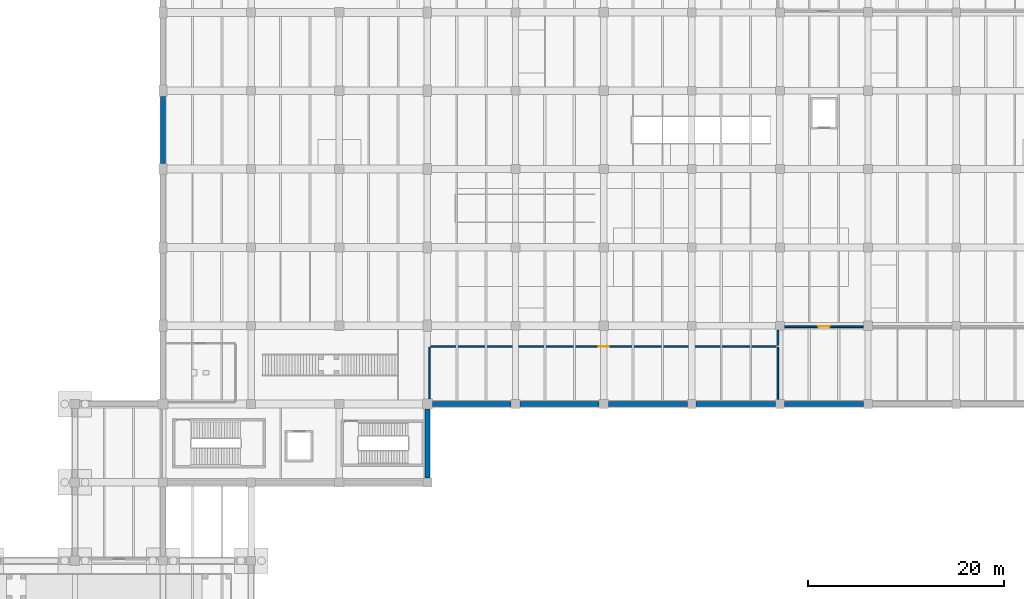
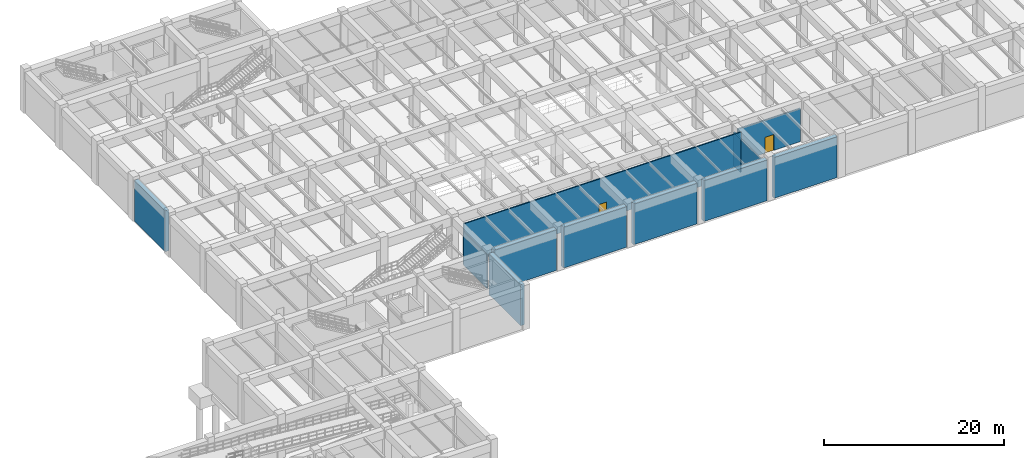
# One storey, part 8 of 20: 12 walls, 2 doors, 2 openings.
"""IFC4 building model written with IfcOpenShell, lengths in metres."""

import ifcopenshell
import ifcopenshell.guid

model = None  # the IFC model being written
_history = None  # IfcOwnerHistory: only IFC2X3 demands one
_inside = {}  # id of a spatial element -> (the spatial element, [elements in it])
_under = {}  # id of a project, library or spatial element -> (it, [spatial elements below it])
_declared = {}  # id of a project -> (the project, [libraries it declares])
_typed = {}  # id of a type object -> (the type object, [elements of that type])
_made_of = {}  # id of a material, layer set ... -> (it, [elements and type objects made of it])


def new_model(schema):
    """Start an empty IFC model of exactly this schema.

    Asked for "IFC4X3", IfcOpenShell would pick the latest addendum, in which some entities
    have other attributes; the version numbers below select the first issue.
    IFC2X3 requires an IfcOwnerHistory on every rooted entity: one is made here for all.
    """
    global model, _history
    if schema == "IFC4X3":
        model = ifcopenshell.file(schema_version=(4, 3, 0, 0))
    else:
        model = ifcopenshell.file(schema=schema)
    _inside.clear()
    _under.clear()
    _declared.clear()
    _typed.clear()
    _made_of.clear()
    _history = None
    if model.schema == "IFC2X3":
        org = make("IfcOrganization", Name="unknown")
        user = make(
            "IfcPersonAndOrganization",
            ThePerson=make("IfcPerson", FamilyName="unknown"),
            TheOrganization=org,
        )
        app = make(
            "IfcApplication",
            ApplicationDeveloper=org,
            Version="unknown",
            ApplicationFullName="unknown",
            ApplicationIdentifier="unknown",
        )
        _history = make(
            "IfcOwnerHistory",
            OwningUser=user,
            OwningApplication=app,
            ChangeAction="ADDED",
            CreationDate=0,
        )
    return model


def make(cls, **values):
    """One entity of the class cls with the attributes given. An attribute that is None is left unset."""
    return model.create_entity(
        cls, **{name: value for name, value in values.items() if value is not None}
    )


def rooted(cls, **values):
    """An entity with a GlobalId (a new one), such as an element, a storey or a relation."""
    return make(cls, GlobalId=ifcopenshell.guid.new(), OwnerHistory=_history, **values)


def si_unit(unit_type, name, prefix=None):
    """IfcSIUnit, for example si_unit("LENGTHUNIT", "METRE", prefix="MILLI")."""
    return make("IfcSIUnit", UnitType=unit_type, Prefix=prefix, Name=name)


def derived_unit(unit_type, elements):
    """IfcDerivedUnit: a product of units, each with its exponent."""
    return make(
        "IfcDerivedUnit",
        Elements=[
            make("IfcDerivedUnitElement", Unit=unit, Exponent=power)
            for unit, power in elements
        ],
        UnitType=unit_type,
    )


def assignment(units):
    """IfcUnitAssignment: the units of a project."""
    return None if units is None else make("IfcUnitAssignment", Units=units)


def point(xyz):
    """IfcCartesianPoint."""
    return None if xyz is None else make("IfcCartesianPoint", Coordinates=xyz)


def direction(xyz):
    """IfcDirection."""
    return None if xyz is None else make("IfcDirection", DirectionRatios=xyz)


def frame(location, z_axis=None, x_axis=None):
    """IfcAxis2Placement3D, a coordinate frame: its origin and axes. An axis left out is left unset."""
    return make(
        "IfcAxis2Placement3D",
        Location=point(location),
        Axis=direction(z_axis),
        RefDirection=direction(x_axis),
    )


def frame_2d(location, x_axis=None):
    """IfcAxis2Placement2D, a coordinate frame in the plane: its origin and x axis."""
    return make(
        "IfcAxis2Placement2D", Location=point(location), RefDirection=direction(x_axis)
    )


def origin():
    """The frame at (0, 0, 0) with its axes left unset."""
    return frame((0.0, 0.0, 0.0))


def place(relative_to, where):
    """IfcLocalPlacement: puts the frame where relative to a parent placement (None: the world)."""
    return make(
        "IfcLocalPlacement", PlacementRelTo=relative_to, RelativePlacement=where
    )


def context(
    kind, dimensions, precision=None, world=None, true_north=None, identifier=None
):
    """IfcGeometricRepresentationContext, for example the 3D "Model" context."""
    return make(
        "IfcGeometricRepresentationContext",
        ContextIdentifier=identifier,
        ContextType=kind,
        CoordinateSpaceDimension=dimensions,
        Precision=precision,
        WorldCoordinateSystem=world,
        TrueNorth=true_north,
    )


def subcontext(parent, identifier, kind, view, scale=None):
    """IfcGeometricRepresentationSubContext, for example "Body" below "Model"."""
    return make(
        "IfcGeometricRepresentationSubContext",
        ContextIdentifier=identifier,
        ContextType=kind,
        ParentContext=parent,
        TargetScale=scale,
        TargetView=view,
    )


def project(units=None, contexts=None):
    """IfcProject with its units and contexts."""
    return rooted(
        "IfcProject",
        Name="project",
        RepresentationContexts=contexts,
        UnitsInContext=assignment(units),
    )


def spatial(cls, under=None, at=None, **own):
    """A site, building, storey or space (cls), placed at a placement, below another one or the project."""
    s = rooted(cls, ObjectPlacement=at, **own)
    if under is not None:
        _under.setdefault(under.id(), (under, []))[1].append(s)
    return s


def profile(cls, at=None, kind="AREA", **sizes):
    """A parametric profile (cls). Its sizes go by their IFC names, for example OverallWidth=200.0."""
    return make(cls, ProfileType=kind, Position=at, **sizes)


def rectangle(**sizes):
    """IfcRectangleProfileDef."""
    return profile("IfcRectangleProfileDef", **sizes)


def extrude(swept, where, along, depth):
    """IfcExtrudedAreaSolid: the profile swept, set in the frame where, extruded along a direction by depth."""
    return make(
        "IfcExtrudedAreaSolid",
        SweptArea=swept,
        Position=where,
        ExtrudedDirection=direction(along),
        Depth=depth,
    )


def shape(context_of_items, identifier, shape_type, items):
    """IfcShapeRepresentation: the items that make up one representation, for example the "Body"."""
    return make(
        "IfcShapeRepresentation",
        ContextOfItems=context_of_items,
        RepresentationIdentifier=identifier,
        RepresentationType=shape_type,
        Items=items,
    )


def material(Name=None, Category=None):
    """IfcMaterial."""
    return make("IfcMaterial", Name=Name, Category=Category)


def layer(
    of_material, thickness, ventilated=None, Name=None, Category=None, Priority=None
):
    """IfcMaterialLayer: one layer of a wall or slab, of a material (None: an air gap)."""
    return make(
        "IfcMaterialLayer",
        Material=of_material,
        LayerThickness=thickness,
        IsVentilated=ventilated,
        Name=Name,
        Category=Category,
        Priority=Priority,
    )


def layer_set(layers, Name=None):
    """IfcMaterialLayerSet."""
    return make("IfcMaterialLayerSet", MaterialLayers=layers, LayerSetName=Name)


def made_of(thing, what):
    """Note that an element or type object is made of a material, layer set ...; save() writes the relation."""
    if what is not None:
        _made_of.setdefault(what.id(), (what, []))[1].append(thing)
    return thing


def type_object(cls, material=None, **own):
    """A type object (cls), such as IfcWallType, which elements share."""
    return made_of(rooted(cls, **own), material)


def element(
    cls,
    number,
    at=None,
    inside=None,
    cuts=None,
    type_object=None,
    material=None,
    context=None,
    identifier="Body",
    shape_type=None,
    held_by="IfcProductDefinitionShape",
    body=None,
    shapes=None,
    **own,
):
    """One element of the class cls, such as IfcWall. Its Tag is "e" and its number.

    at: its placement. inside: the storey or other place that contains it. cuts: it is an
    opening in that element (IfcRelVoidsElement). A single representation is given by context,
    identifier, shape_type and body (its items); several are given by shapes. held_by: the class
    of the entity that holds the representations. save() writes the other relations.
    """
    e = rooted(cls, Tag="e%d" % number, ObjectPlacement=at, **own)
    if body is not None:
        shapes = [shape(context, identifier, shape_type, body)]
    if shapes is not None:
        e.Representation = make(held_by, Representations=shapes)
    if inside is not None:
        _inside.setdefault(inside.id(), (inside, []))[1].append(e)
    if cuts is not None:
        rooted(
            "IfcRelVoidsElement", RelatingBuildingElement=cuts, RelatedOpeningElement=e
        )
    if type_object is not None:
        _typed.setdefault(type_object.id(), (type_object, []))[1].append(e)
    return made_of(e, material)


def fill(opening, filler):
    """IfcRelFillsElement: the door or window that sits in an opening."""
    return rooted(
        "IfcRelFillsElement",
        RelatingOpeningElement=opening,
        RelatedBuildingElement=filler,
    )


def aggregate(whole, parts):
    """IfcRelAggregates: a whole, such as a stair, and the parts it consists of."""
    return rooted("IfcRelAggregates", RelatingObject=whole, RelatedObjects=parts)


def save(model, path):
    """Write the relations noted so far, then the file.

    IfcRelAggregates (storeys below a building ...), IfcRelContainedInSpatialStructure (elements
    in a storey), IfcRelDefinesByType, IfcRelAssociatesMaterial and IfcRelDeclares: one each for
    every whole, place, type object, material and project.
    """
    for whole, parts in _under.values():
        aggregate(whole, parts)
    for where, things in _inside.values():
        rooted(
            "IfcRelContainedInSpatialStructure",
            RelatedElements=things,
            RelatingStructure=where,
        )
    for kind, things in _typed.values():
        rooted("IfcRelDefinesByType", RelatedObjects=things, RelatingType=kind)
    for what, things in _made_of.values():
        rooted("IfcRelAssociatesMaterial", RelatedObjects=things, RelatingMaterial=what)
    for by, libraries in _declared.values():
        rooted("IfcRelDeclares", RelatingContext=by, RelatedDefinitions=libraries)
    model.write(path)


model = new_model("IFC4")

# Units and contexts
model_context = context("Model", 3, precision=1e-05, world=origin(), true_north=direction((0.0, 1.0)))
body_context = subcontext(model_context, "Body", "Model", "MODEL_VIEW")
ifc_project = project(units=[si_unit("LENGTHUNIT", "METRE"), si_unit("AREAUNIT", "SQUARE_METRE"), si_unit("VOLUMEUNIT", "CUBIC_METRE"), si_unit("PLANEANGLEUNIT", "RADIAN"), si_unit("MASSUNIT", "GRAM", prefix="KILO"), derived_unit("THERMALTRANSMITTANCEUNIT", [(si_unit("MASSUNIT", "GRAM", prefix="KILO"), 1), (si_unit("TIMEUNIT", "SECOND"), -3), (si_unit("THERMODYNAMICTEMPERATUREUNIT", "KELVIN"), -1)])], contexts=[model_context])

# Site, building, storey
site_placement = place(None, origin())
site = spatial("IfcSite", under=ifc_project, at=site_placement, CompositionType="ELEMENT")
building_placement = place(site_placement, origin())
building = spatial("IfcBuilding", under=site, at=building_placement, Name="Zhenchuan Archway Interchange", CompositionType="ELEMENT")
storey_placement = place(building_placement, frame((0.0, 0.0, -6.0)))
storey = spatial("IfcBuildingStorey", under=building, at=storey_placement, Name="B1", CompositionType="ELEMENT", Elevation=-6.0)

# Walls
ifc_material_1 = material(Name="Concrete C40", Category="concrete")
ifc_layer_1 = layer(ifc_material_1, 0.5)
ifc_layer_set_1 = layer_set([ifc_layer_1], Name="Concrete C40")
wall_type_1 = type_object("IfcWallType", Name="EW_DIAPH_500", PredefinedType="STANDARD", material=ifc_layer_set_1)
wall_1_placement = place(storey_placement, frame((36.0, 56.572998046875, 0.0), z_axis=(0.0, 0.0, 1.0), x_axis=(0.0, 1.0, 0.0)))
element("IfcWall", 1, at=wall_1_placement, inside=storey, type_object=wall_type_1, Name="Basement diaphragm wall B1-012", PredefinedType="STANDARD", context=body_context, shape_type="SweptSolid", body=[
    extrude(rectangle(XDim=6.85400390625, YDim=0.5, at=frame_2d((3.427001953125, 0.0))), origin(), (0.0, 0.0, 1.0), 5.56005859375),
])
wall_2_placement = place(storey_placement, frame((107.527099609375, 32.0, 0.0), z_axis=(0.0, 0.0, 1.0), x_axis=(-1.0, 0.0, 0.0)))
element("IfcWall", 2, at=wall_2_placement, inside=storey, type_object=wall_type_1, Name="Basement diaphragm wall B1-045", PredefinedType="STANDARD", context=body_context, shape_type="SweptSolid", body=[
    extrude(rectangle(XDim=8.0791015625, YDim=0.5, at=frame_2d((4.03955078125, 0.0))), origin(), (0.0, 0.0, 1.0), 5.56005859375),
])
wall_3_placement = place(storey_placement, frame((98.552001953125, 32.0, 0.0), z_axis=(0.0, 0.0, 1.0), x_axis=(-1.0, 0.0, 0.0)))
element("IfcWall", 3, at=wall_3_placement, inside=storey, type_object=wall_type_1, Name="Basement diaphragm wall B1-046", PredefinedType="STANDARD", context=body_context, shape_type="SweptSolid", body=[
    extrude(rectangle(XDim=8.10400390625, YDim=0.5, at=frame_2d((4.052001953125, 0.0))), origin(), (0.0, 0.0, 1.0), 5.56005859375),
])
for number, where, z_axis, x_axis, name in (
    (4, (89.552001953125, 32.0, 0.0), (0.0, 0.0, 1.0), (-1.0, 0.0, 0.0), "Basement diaphragm wall B1-047"),
    (5, (80.527099609375, 32.0, 0.0), (0.0, 0.0, 1.0), (-1.0, 0.0, 0.0), "Basement diaphragm wall B1-048"),
):
    element("IfcWall", number, at=place(storey_placement, frame(where, z_axis=z_axis, x_axis=x_axis)), inside=storey, type_object=wall_type_1, Name=name, PredefinedType="STANDARD", context=body_context, shape_type="SweptSolid", body=[
        extrude(rectangle(XDim=8.0791015625, YDim=0.5, at=frame_2d((4.03955078125, 0.0))), origin(), (0.0, 0.0, 1.0), 5.56005859375),
    ])
wall_4_placement = place(storey_placement, frame((71.552001953125, 32.0, 0.0), z_axis=(0.0, 0.0, 1.0), x_axis=(-1.0, 0.0, 0.0)))
element("IfcWall", 6, at=wall_4_placement, inside=storey, type_object=wall_type_1, Name="Basement diaphragm wall B1-049", PredefinedType="STANDARD", context=body_context, shape_type="SweptSolid", body=[
    extrude(rectangle(XDim=8.029052734375, YDim=0.5, at=frame_2d((4.0146484375, 0.0))), origin(), (0.0, 0.0, 1.0), 5.56005859375),
])
wall_5_placement = place(storey_placement, frame((63.0, 31.47705078125, 0.0), z_axis=(0.0, 0.0, 1.0), x_axis=(0.0, -1.0, 0.0)))
element("IfcWall", 7, at=wall_5_placement, inside=storey, type_object=wall_type_1, Name="Basement diaphragm wall B1-050", PredefinedType="STANDARD", context=body_context, shape_type="SweptSolid", body=[
    extrude(rectangle(XDim=7.029052734375, YDim=0.5, at=frame_2d((3.5146484375, 0.0))), origin(), (0.0, 0.0, 1.0), 5.56005859375),
])

# Wall, opening, door
ifc_material_2 = material(Name="Gypsum Plasterboard", Category="gypsum")
ifc_layer_2 = layer(ifc_material_2, 0.14990234375)
ifc_layer_set_2 = layer_set([ifc_layer_2], Name="Gypsum Plasterboard")
wall_type_2 = type_object("IfcWallType", Name="WL_PART_150", PredefinedType="STANDARD", material=ifc_layer_set_2)
wall_6_placement = place(storey_placement, frame((63.199951171875, 37.89990234375, 0.0), z_axis=(0.0, 0.0, 1.0), x_axis=(1.0, 0.0, 0.0)))
wall_6 = element("IfcWall", 8, at=wall_6_placement, inside=storey, type_object=wall_type_2, Name="Passenger Fare Service Kiosk South N partition (B1)", PredefinedType="STANDARD", context=body_context, shape_type="SweptSolid", body=[
    extrude(rectangle(XDim=35.60009765625, YDim=0.14990234375, at=frame_2d((17.800048828125, 0.0))), origin(), (0.0, 0.0, 1.0), 5.550048828125),
])
opening_1_placement = place(wall_6_placement, frame((17.300048828125, 0.0, 0.0)))
opening_1 = element("IfcOpeningElement", 9, at=opening_1_placement, cuts=wall_6, Name="Opening ID-02", PredefinedType="OPENING", context=body_context, shape_type="SweptSolid", body=[
    extrude(rectangle(XDim=1.0, YDim=2.10009765625, at=frame_2d((0.5, 1.050048828125))), frame((0.0, 0.0869140625, 0.0), z_axis=(0.0, -1.0, 0.0), x_axis=(1.0, 0.0, 0.0)), (0.0, 0.0, 1.0), 0.173828125),
])
ifc_material_3 = material(Name="Hardwood Timber", Category="wood")
door_type_1 = type_object("IfcDoorType", Name="DR_OPS_100", OperationType="NOTDEFINED", PredefinedType="DOOR", material=ifc_material_3)
door_1_placement = place(opening_1_placement, origin())
door_1 = element("IfcDoor", 10, at=door_1_placement, inside=storey, type_object=door_type_1, Name="Passenger Fare Service Kiosk South door (B1)", OperationType="SINGLE_SWING_LEFT", OverallHeight=2.10009765625, OverallWidth=1.0, PredefinedType="DOOR", context=body_context, shape_type="SweptSolid", body=[
    extrude(rectangle(XDim=1.0, YDim=2.10009765625, at=frame_2d((0.5, 1.050048828125))), frame((0.0, 0.02490234375, 0.0), z_axis=(0.0, -1.0, 0.0), x_axis=(1.0, 0.0, 0.0)), (0.0, 0.0, 1.0), 0.050048828125),
])
fill(opening_1, door_1)

# Walls
wall_7_placement = place(storey_placement, frame((63.199951171875, 32.550048828125, 0.0), z_axis=(0.0, 0.0, 1.0), x_axis=(0.0, 1.0, 0.0)))
element("IfcWall", 11, at=wall_7_placement, inside=storey, type_object=wall_type_2, Name="Passenger Fare Service Kiosk South W partition (B1)", PredefinedType="STANDARD", context=body_context, shape_type="SweptSolid", body=[
    extrude(rectangle(XDim=5.264892578125, YDim=0.14990234375, at=frame_2d((2.63232421875, 0.0))), origin(), (0.0, 0.0, 1.0), 4.530029296875),
])
wall_8_placement = place(storey_placement, frame((98.800048828125, 32.47509765625, 0.0), z_axis=(0.0, 0.0, 1.0), x_axis=(0.0, 1.0, 0.0)))
element("IfcWall", 12, at=wall_8_placement, inside=storey, type_object=wall_type_2, Name="Passenger Fare Service Kiosk South E partition (B1)", PredefinedType="STANDARD", context=body_context, shape_type="SweptSolid", body=[
    extrude(rectangle(XDim=5.33984375, YDim=0.14990234375, at=frame_2d((2.669921875, 0.0))), origin(), (0.0, 0.0, 1.0), 4.530029296875),
])

# Wall, opening, door
ifc_material_4 = material(Name="Concrete Block Masonry", Category="masonry")
ifc_layer_3 = layer(ifc_material_4, 0.179931640625)
ifc_layer_set_3 = layer_set([ifc_layer_3], Name="Concrete Block Masonry")
wall_type_3 = type_object("IfcWallType", Name="WL_PART_180", PredefinedType="STANDARD", material=ifc_layer_set_3)
wall_9_placement = place(storey_placement, frame((99.47509765625, 39.89990234375, 0.0), z_axis=(0.0, 0.0, 1.0), x_axis=(1.0, 0.0, 0.0)))
wall_9 = element("IfcWall", 13, at=wall_9_placement, inside=storey, type_object=wall_type_3, Name="Automatic Fare Collection Equipment Room N partition (B1)", PredefinedType="STANDARD", context=body_context, shape_type="SweptSolid", body=[
    extrude(rectangle(XDim=8.02490234375, YDim=0.179931640625, at=frame_2d((4.012451171875, 0.0))), origin(), (0.0, 0.0, 1.0), 4.47998046875),
])
opening_2_placement = place(wall_9_placement, frame((3.4375, 0.0, 0.0)))
opening_2 = element("IfcOpeningElement", 14, at=opening_2_placement, cuts=wall_9, Name="Opening ID-06", PredefinedType="OPENING", context=body_context, shape_type="SweptSolid", body=[
    extrude(rectangle(XDim=1.14990234375, YDim=2.14990234375, at=frame_2d((0.574951171875, 1.074951171875))), frame((0.0, 0.10205078125, 0.0), z_axis=(0.0, -1.0, 0.0), x_axis=(1.0, 0.0, 0.0)), (0.0, 0.0, 1.0), 0.203857421875),
])
door_type_2 = type_object("IfcDoorType", Name="DR_CTRL_115", OperationType="NOTDEFINED", PredefinedType="DOOR", material=ifc_material_3)
door_2_placement = place(opening_2_placement, origin())
door_2 = element("IfcDoor", 15, at=door_2_placement, inside=storey, type_object=door_type_2, Name="Automatic Fare Collection Equipment Room door (B1)", OperationType="SINGLE_SWING_RIGHT", OverallHeight=2.14990234375, OverallWidth=1.14990234375, PredefinedType="DOOR", context=body_context, shape_type="SweptSolid", body=[
    extrude(rectangle(XDim=1.14990234375, YDim=2.14990234375, at=frame_2d((0.574951171875, 1.074951171875))), frame((0.0, 0.02490234375, 0.0), z_axis=(0.0, -1.0, 0.0), x_axis=(1.0, 0.0, 0.0)), (0.0, 0.0, 1.0), 0.050048828125),
])
fill(opening_2, door_2)

# Wall
wall_10_placement = place(storey_placement, frame((98.800048828125, 37.985107421875, 0.0), z_axis=(0.0, 0.0, 1.0), x_axis=(0.0, 1.0, 0.0)))
element("IfcWall", 16, at=wall_10_placement, inside=storey, type_object=wall_type_3, Name="Automatic Fare Collection Equipment Room W partition (B1)", PredefinedType="STANDARD", context=body_context, shape_type="SweptSolid", body=[
    extrude(rectangle(XDim=1.539794921875, YDim=0.179931640625, at=frame_2d((0.77001953125, 0.0))), origin(), (0.0, 0.0, 1.0), 4.530029296875),
])

save(model, "model.ifc")
